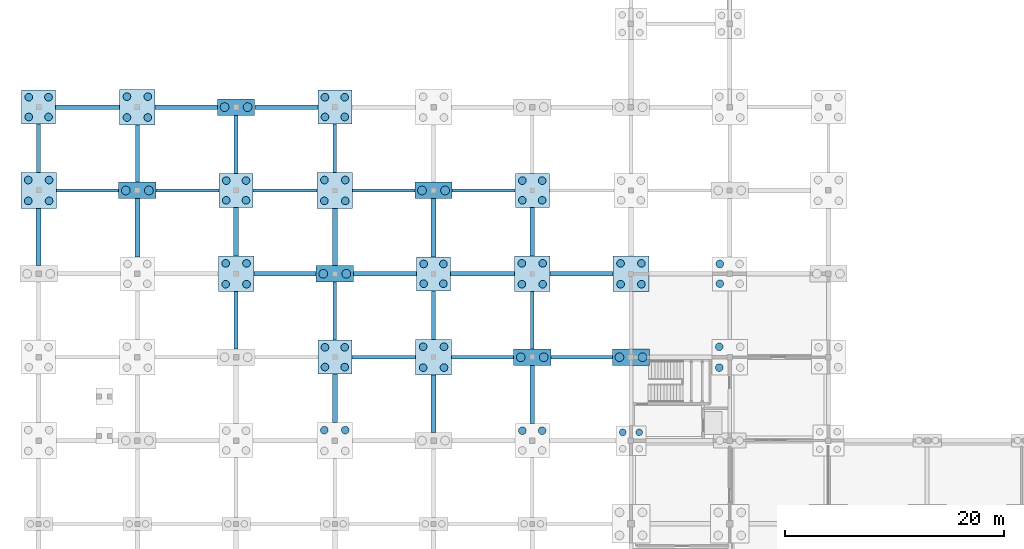
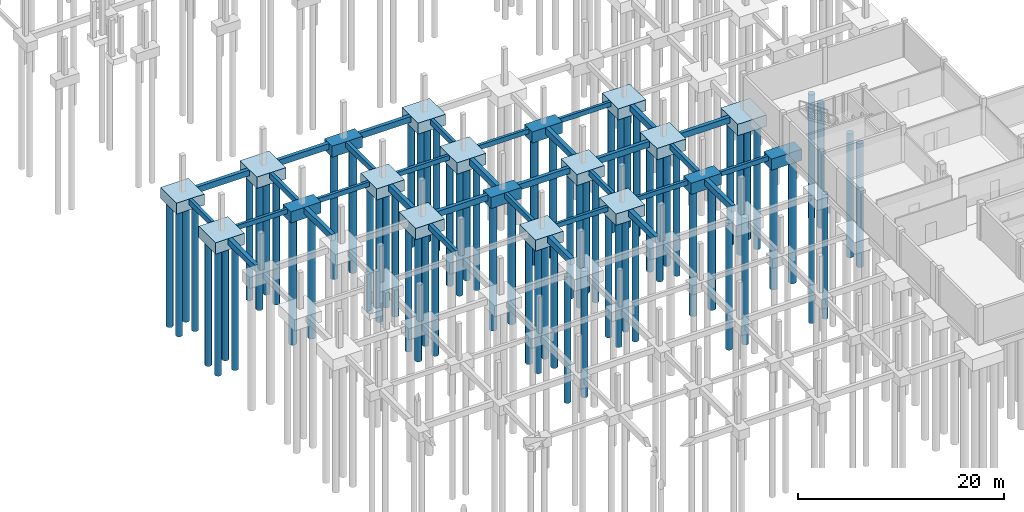
# One storey, part 3 of 28: 74 piles, 51 footings.
"""IFC4 building model written with IfcOpenShell, lengths in metres."""

from ifc_helpers import new_model, si_unit, direction, frame, origin, origin_2d, place, context, subcontext, project, spatial, rectangle, circle, extrude, material, layer, layer_set, material_profile, profile_set, type_object, element, save


model = new_model("IFC4")

# Units and contexts
model_context = context("Model", 3, precision=1e-05, world=origin(), true_north=direction((0.0, 1.0)))
body_context = subcontext(model_context, "Body", "Model", "MODEL_VIEW")
ifc_project = project(units=[si_unit("LENGTHUNIT", "METRE"), si_unit("AREAUNIT", "SQUARE_METRE"), si_unit("VOLUMEUNIT", "CUBIC_METRE"), si_unit("PLANEANGLEUNIT", "RADIAN"), si_unit("MASSUNIT", "GRAM", prefix="KILO")], contexts=[model_context])

# Site, building, storey
site_placement = place(None, origin())
site = spatial("IfcSite", under=ifc_project, at=site_placement, CompositionType="ELEMENT")
building_placement = place(site_placement, origin())
building = spatial("IfcBuilding", under=site, at=building_placement, Name="Caisbarro Railhouse Central Library", CompositionType="ELEMENT")
storey_placement = place(building_placement, frame((0.0, 0.0, -4.320068359375)))
storey = spatial("IfcBuildingStorey", under=building, at=storey_placement, Name="B01", CompositionType="ELEMENT", Elevation=-4.320068359375)

# Footings
ifc_material_1 = material(Name="Concrete C35", Category="concrete")
footing_type_1 = type_object("IfcFootingType", Name="FTG-FB01", PredefinedType="FOOTING_BEAM", material=ifc_material_1)
footing_1_placement = place(storey_placement, frame((0.0, 57.03759765625, -0.64990234375), z_axis=(0.0, 0.0, 1.0), x_axis=(0.0, 1.0, 0.0)))
element("IfcFooting", 1, at=footing_1_placement, inside=storey, type_object=footing_type_1, Name="FB01 ground tie beam 16", PredefinedType="FOOTING_BEAM", context=body_context, shape_type="SweptSolid", body=[
    extrude(rectangle(XDim=4.4208984375, YDim=0.35009765625, at=origin_2d()), origin(), (0.0, 0.0, 1.0), 0.64990234375),
])
for number, where, z_axis, x_axis, name in (
    (2, (9.0, 56.5625, -0.64990234375), (0.0, 0.0, 1.0), (0.0, 1.0, 0.0), "FB01 ground tie beam 40"),
    (3, (18.0, 41.362548828125, -0.64990234375), (0.0, 0.0, 1.0), (0.0, 1.0, 0.0), "FB01 ground tie beam 60"),
):
    element("IfcFooting", number, at=place(storey_placement, frame(where, z_axis=z_axis, x_axis=x_axis)), inside=storey, type_object=footing_type_1, Name=name, PredefinedType="FOOTING_BEAM", context=body_context, shape_type="SweptSolid", body=[
        extrude(rectangle(XDim=5.220947265625, YDim=0.35009765625, at=origin_2d()), origin(), (0.0, 0.0, 1.0), 0.64990234375),
    ])
for number, where, z_axis, x_axis, name in (
    (4, (18.0, 57.39990234375, -0.64990234375), (0.0, 0.0, 1.0), (0.0, 1.0, 0.0), "FB01 ground tie beam 64"),
    (5, (27.0, 42.199951171875, -0.64990234375), (0.0, 0.0, 1.0), (0.0, 1.0, 0.0), "FB01 ground tie beam 84"),
):
    element("IfcFooting", number, at=place(storey_placement, frame(where, z_axis=z_axis, x_axis=x_axis)), inside=storey, type_object=footing_type_1, Name=name, PredefinedType="FOOTING_BEAM", context=body_context, shape_type="SweptSolid", body=[
        extrude(rectangle(XDim=5.2958984375, YDim=0.35009765625, at=origin_2d()), origin(), (0.0, 0.0, 1.0), 0.64990234375),
    ])
for number, where, z_axis, x_axis, name in (
    (6, (27.0, 57.03759765625, -0.64990234375), (0.0, 0.0, 1.0), (0.0, 1.0, 0.0), "FB01 ground tie beam 88"),
    (7, (36.0, 41.83740234375, -0.64990234375), (0.0, 0.0, 1.0), (0.0, 1.0, 0.0), "FB01 ground tie beam 108"),
):
    element("IfcFooting", number, at=place(storey_placement, frame(where, z_axis=z_axis, x_axis=x_axis)), inside=storey, type_object=footing_type_1, Name=name, PredefinedType="FOOTING_BEAM", context=body_context, shape_type="SweptSolid", body=[
        extrude(rectangle(XDim=4.4208984375, YDim=0.35009765625, at=origin_2d()), origin(), (0.0, 0.0, 1.0), 0.64990234375),
    ])
footing_2_placement = place(storey_placement, frame((45.0, 41.362548828125, -0.64990234375), z_axis=(0.0, 0.0, 1.0), x_axis=(0.0, 1.0, 0.0)))
element("IfcFooting", 8, at=footing_2_placement, inside=storey, type_object=footing_type_1, Name="FB01 ground tie beam 128", PredefinedType="FOOTING_BEAM", context=body_context, shape_type="SweptSolid", body=[
    extrude(rectangle(XDim=5.220947265625, YDim=0.35009765625, at=origin_2d()), origin(), (0.0, 0.0, 1.0), 0.64990234375),
])
footing_type_2 = type_object("IfcFootingType", Name="FTG-FB02", PredefinedType="FOOTING_BEAM", material=ifc_material_1)
footing_3_placement = place(storey_placement, frame((4.46240234375, 60.800048828125, -0.69970703125), z_axis=(0.0, 0.0, 1.0), x_axis=(1.0, 0.0, 0.0)))
element("IfcFooting", 9, at=footing_3_placement, inside=storey, type_object=footing_type_2, Name="FB02 ground tie beam 17", PredefinedType="FOOTING_BEAM", context=body_context, shape_type="SweptSolid", body=[
    extrude(rectangle(XDim=5.821044921875, YDim=0.39990234375, at=origin_2d()), origin(), (0.0, 0.0, 1.0), 0.699951171875),
])
for number, where, z_axis, x_axis, name in (
    (10, (13.46240234375, 60.800048828125, -0.69970703125), (0.0, 0.0, 1.0), (1.0, 0.0, 0.0), "FB02 ground tie beam 41"),
    (11, (22.46240234375, 45.60009765625, -0.69970703125), (0.0, 0.0, 1.0), (1.0, 0.0, 0.0), "FB02 ground tie beam 61"),
):
    element("IfcFooting", number, at=place(storey_placement, frame(where, z_axis=z_axis, x_axis=x_axis)), inside=storey, type_object=footing_type_2, Name=name, PredefinedType="FOOTING_BEAM", context=body_context, shape_type="SweptSolid", body=[
        extrude(rectangle(XDim=5.6708984375, YDim=0.39990234375, at=origin_2d()), origin(), (0.0, 0.0, 1.0), 0.699951171875),
    ])
for number, where, z_axis, x_axis, name in (
    (12, (22.574951171875, 60.800048828125, -0.69970703125), (0.0, 0.0, 1.0), (1.0, 0.0, 0.0), "FB02 ground tie beam 65"),
    (13, (31.574951171875, 45.60009765625, -0.69970703125), (0.0, 0.0, 1.0), (1.0, 0.0, 0.0), "FB02 ground tie beam 85"),
):
    element("IfcFooting", number, at=place(storey_placement, frame(where, z_axis=z_axis, x_axis=x_axis)), inside=storey, type_object=footing_type_2, Name=name, PredefinedType="FOOTING_BEAM", context=body_context, shape_type="SweptSolid", body=[
        extrude(rectangle(XDim=5.74609375, YDim=0.39990234375, at=origin_2d()), origin(), (0.0, 0.0, 1.0), 0.699951171875),
    ])
footing_4_placement = place(storey_placement, frame((40.46240234375, 45.60009765625, -0.69970703125), z_axis=(0.0, 0.0, 1.0), x_axis=(1.0, 0.0, 0.0)))
element("IfcFooting", 14, at=footing_4_placement, inside=storey, type_object=footing_type_2, Name="FB02 ground tie beam 109", PredefinedType="FOOTING_BEAM", context=body_context, shape_type="SweptSolid", body=[
    extrude(rectangle(XDim=5.821044921875, YDim=0.39990234375, at=origin_2d()), origin(), (0.0, 0.0, 1.0), 0.699951171875),
])
footing_5_placement = place(storey_placement, frame((49.5, 45.60009765625, -1.0), z_axis=(0.0, 0.0, 1.0), x_axis=(1.0, 0.0, 0.0)))
element("IfcFooting", 15, at=footing_5_placement, inside=storey, type_object=footing_type_2, Name="FB02 ground tie beam 129", PredefinedType="FOOTING_BEAM", context=body_context, shape_type="SweptSolid", body=[
    extrude(rectangle(XDim=5.74609375, YDim=0.39990234375, at=origin_2d()), origin(), (0.0, 0.0, 1.0), 0.699951171875),
])
footing_type_3 = type_object("IfcFootingType", Name="FTG-FB03", PredefinedType="FOOTING_BEAM", material=ifc_material_1)
footing_6_placement = place(storey_placement, frame((0.0, 48.96240234375, -0.75), z_axis=(0.0, 0.0, 1.0), x_axis=(0.0, 1.0, 0.0)))
element("IfcFooting", 16, at=footing_6_placement, inside=storey, type_object=footing_type_3, Name="FB03 ground tie beam 14", PredefinedType="FOOTING_BEAM", context=body_context, shape_type="SweptSolid", body=[
    extrude(rectangle(XDim=5.220947265625, YDim=0.449951171875, at=origin_2d()), origin(), (0.0, 0.0, 1.0), 0.75),
])
footing_7_placement = place(storey_placement, frame((9.0, 49.800048828125, -0.75), z_axis=(0.0, 0.0, 1.0), x_axis=(0.0, 1.0, 0.0)))
element("IfcFooting", 17, at=footing_7_placement, inside=storey, type_object=footing_type_3, Name="FB03 ground tie beam 38", PredefinedType="FOOTING_BEAM", context=body_context, shape_type="SweptSolid", body=[
    extrude(rectangle(XDim=5.2958984375, YDim=0.449951171875, at=origin_2d()), origin(), (0.0, 0.0, 1.0), 0.75),
])
for number, where, z_axis, x_axis, name in (
    (18, (18.0, 49.4375, -0.75), (0.0, 0.0, 1.0), (0.0, 1.0, 0.0), "FB03 ground tie beam 62"),
    (19, (27.0, 34.237548828125, -0.75), (0.0, 0.0, 1.0), (0.0, 1.0, 0.0), "FB03 ground tie beam 82"),
):
    element("IfcFooting", number, at=place(storey_placement, frame(where, z_axis=z_axis, x_axis=x_axis)), inside=storey, type_object=footing_type_3, Name=name, PredefinedType="FOOTING_BEAM", context=body_context, shape_type="SweptSolid", body=[
        extrude(rectangle(XDim=4.4208984375, YDim=0.449951171875, at=origin_2d()), origin(), (0.0, 0.0, 1.0), 0.75),
    ])
for number, where, z_axis, x_axis, name in (
    (20, (27.0, 48.96240234375, -0.75), (0.0, 0.0, 1.0), (0.0, 1.0, 0.0), "FB03 ground tie beam 86"),
    (21, (36.0, 33.762451171875, -0.75), (0.0, 0.0, 1.0), (0.0, 1.0, 0.0), "FB03 ground tie beam 106"),
):
    element("IfcFooting", number, at=place(storey_placement, frame(where, z_axis=z_axis, x_axis=x_axis)), inside=storey, type_object=footing_type_3, Name=name, PredefinedType="FOOTING_BEAM", context=body_context, shape_type="SweptSolid", body=[
        extrude(rectangle(XDim=5.220947265625, YDim=0.449951171875, at=origin_2d()), origin(), (0.0, 0.0, 1.0), 0.75),
    ])
for number, where, z_axis, x_axis, name in (
    (22, (36.0, 49.800048828125, -0.75), (0.0, 0.0, 1.0), (0.0, 1.0, 0.0), "FB03 ground tie beam 110"),
    (23, (45.0, 34.60009765625, -0.75), (0.0, 0.0, 1.0), (0.0, 1.0, 0.0), "FB03 ground tie beam 126"),
):
    element("IfcFooting", number, at=place(storey_placement, frame(where, z_axis=z_axis, x_axis=x_axis)), inside=storey, type_object=footing_type_3, Name=name, PredefinedType="FOOTING_BEAM", context=body_context, shape_type="SweptSolid", body=[
        extrude(rectangle(XDim=5.2958984375, YDim=0.449951171875, at=origin_2d()), origin(), (0.0, 0.0, 1.0), 0.75),
    ])
footing_8_placement = place(storey_placement, frame((45.0, 49.4375, -0.75), z_axis=(0.0, 0.0, 1.0), x_axis=(0.0, 1.0, 0.0)))
element("IfcFooting", 24, at=footing_8_placement, inside=storey, type_object=footing_type_3, Name="FB03 ground tie beam 130", PredefinedType="FOOTING_BEAM", context=body_context, shape_type="SweptSolid", body=[
    extrude(rectangle(XDim=4.4208984375, YDim=0.449951171875, at=origin_2d()), origin(), (0.0, 0.0, 1.0), 0.75),
])
footing_type_4 = type_object("IfcFootingType", Name="FTG-FB04", PredefinedType="FOOTING_BEAM", material=ifc_material_1)
footing_9_placement = place(storey_placement, frame((4.46240234375, 53.199951171875, -0.5498046875), z_axis=(0.0, 0.0, 1.0), x_axis=(1.0, 0.0, 0.0)))
element("IfcFooting", 25, at=footing_9_placement, inside=storey, type_object=footing_type_4, Name="FB04 ground tie beam 15", PredefinedType="FOOTING_BEAM", context=body_context, shape_type="SweptSolid", body=[
    extrude(rectangle(XDim=5.6708984375, YDim=0.300048828125, at=origin_2d()), origin(), (0.0, 0.0, 1.0), 0.550048828125),
])
footing_10_placement = place(storey_placement, frame((13.574951171875, 53.199951171875, -0.5498046875), z_axis=(0.0, 0.0, 1.0), x_axis=(1.0, 0.0, 0.0)))
element("IfcFooting", 26, at=footing_10_placement, inside=storey, type_object=footing_type_4, Name="FB04 ground tie beam 39", PredefinedType="FOOTING_BEAM", context=body_context, shape_type="SweptSolid", body=[
    extrude(rectangle(XDim=5.74609375, YDim=0.300048828125, at=origin_2d()), origin(), (0.0, 0.0, 1.0), 0.550048828125),
])
for number, where, z_axis, x_axis, name in (
    (27, (22.46240234375, 53.199951171875, -0.5498046875), (0.0, 0.0, 1.0), (1.0, 0.0, 0.0), "FB04 ground tie beam 63"),
    (28, (31.46240234375, 38.0, -0.5498046875), (0.0, 0.0, 1.0), (1.0, 0.0, 0.0), "FB04 ground tie beam 83"),
):
    element("IfcFooting", number, at=place(storey_placement, frame(where, z_axis=z_axis, x_axis=x_axis)), inside=storey, type_object=footing_type_4, Name=name, PredefinedType="FOOTING_BEAM", context=body_context, shape_type="SweptSolid", body=[
        extrude(rectangle(XDim=5.821044921875, YDim=0.300048828125, at=origin_2d()), origin(), (0.0, 0.0, 1.0), 0.550048828125),
    ])
for number, where, z_axis, x_axis, name in (
    (29, (31.46240234375, 53.199951171875, -0.5498046875), (0.0, 0.0, 1.0), (1.0, 0.0, 0.0), "FB04 ground tie beam 87"),
    (30, (40.46240234375, 38.0, -0.5498046875), (0.0, 0.0, 1.0), (1.0, 0.0, 0.0), "FB04 ground tie beam 107"),
):
    element("IfcFooting", number, at=place(storey_placement, frame(where, z_axis=z_axis, x_axis=x_axis)), inside=storey, type_object=footing_type_4, Name=name, PredefinedType="FOOTING_BEAM", context=body_context, shape_type="SweptSolid", body=[
        extrude(rectangle(XDim=5.6708984375, YDim=0.300048828125, at=origin_2d()), origin(), (0.0, 0.0, 1.0), 0.550048828125),
    ])
footing_11_placement = place(storey_placement, frame((40.574951171875, 53.199951171875, -0.5498046875), z_axis=(0.0, 0.0, 1.0), x_axis=(1.0, 0.0, 0.0)))
element("IfcFooting", 31, at=footing_11_placement, inside=storey, type_object=footing_type_4, Name="FB04 ground tie beam 111", PredefinedType="FOOTING_BEAM", context=body_context, shape_type="SweptSolid", body=[
    extrude(rectangle(XDim=5.74609375, YDim=0.300048828125, at=origin_2d()), origin(), (0.0, 0.0, 1.0), 0.550048828125),
])
footing_12_placement = place(storey_placement, frame((49.5, 38.0, -0.85009765625), z_axis=(0.0, 0.0, 1.0), x_axis=(1.0, 0.0, 0.0)))
element("IfcFooting", 32, at=footing_12_placement, inside=storey, type_object=footing_type_4, Name="FB04 ground tie beam 127", PredefinedType="FOOTING_BEAM", context=body_context, shape_type="SweptSolid", body=[
    extrude(rectangle(XDim=5.595947265625, YDim=0.300048828125, at=origin_2d()), origin(), (0.0, 0.0, 1.0), 0.550048828125),
])
ifc_material_2 = material(Name="Concrete C40", Category="concrete")
ifc_layer_1 = layer(ifc_material_2, 1.300048828125, Name="Concrete C40")
ifc_layer_set_1 = layer_set([ifc_layer_1], Name="Concrete C40")
footing_type_5 = type_object("IfcFootingType", Name="FTG-PC06", PredefinedType="PILE_CAP", material=ifc_layer_set_1)
for number, where, z_axis, x_axis, name in (
    (33, (0.0, 60.800048828125, -1.2998046875), (0.0, 0.0, 1.0), (1.0, 0.0, 0.0), "PC06 pile cap (9)"),
    (34, (18.0, 53.199951171875, -1.2998046875), (0.0, 0.0, 1.0), (1.0, 0.0, 0.0), "PC06 pile cap (36)"),
    (35, (27.0, 38.0, -1.2998046875), (0.0, 0.0, 1.0), (1.0, 0.0, 0.0), "PC06 pile cap (48)"),
    (36, (27.0, 60.800048828125, -1.2998046875), (0.0, 0.0, 1.0), (1.0, 0.0, 0.0), "PC06 pile cap (51)"),
    (37, (36.0, 45.60009765625, -1.2998046875), (0.0, 0.0, 1.0), (1.0, 0.0, 0.0), "PC06 pile cap (63)"),
    (38, (45.0, 53.199951171875, -1.2998046875), (0.0, 0.0, 1.0), (1.0, 0.0, 0.0), "PC06 pile cap (78)"),
):
    element("IfcFooting", number, at=place(storey_placement, frame(where, z_axis=z_axis, x_axis=x_axis)), inside=storey, type_object=footing_type_5, Name=name, PredefinedType="PILE_CAP", context=body_context, shape_type="SweptSolid", body=[
        extrude(rectangle(XDim=3.10009765625, YDim=3.10009765625, at=origin_2d()), origin(), (0.0, 0.0, 1.0), 1.300048828125),
    ])
ifc_layer_2 = layer(ifc_material_2, 1.320068359375, Name="Concrete C40")
ifc_layer_set_2 = layer_set([ifc_layer_2], Name="Concrete C40")
footing_type_6 = type_object("IfcFootingType", Name="FTG-PC07", PredefinedType="PILE_CAP", material=ifc_layer_set_2)
for number, where, z_axis, x_axis, name in (
    (39, (9.0, 53.199951171875, -1.31982421875), (0.0, 0.0, 1.0), (1.0, 0.0, 0.0), "PC07 pile cap (22)"),
    (40, (18.0, 60.800048828125, -1.31982421875), (0.0, 0.0, 1.0), (1.0, 0.0, 0.0), "PC07 pile cap (37)"),
    (41, (27.0, 45.60009765625, -1.31982421875), (0.0, 0.0, 1.0), (1.0, 0.0, 0.0), "PC07 pile cap (49)"),
    (42, (36.0, 53.199951171875, -1.31982421875), (0.0, 0.0, 1.0), (1.0, 0.0, 0.0), "PC07 pile cap (64)"),
    (43, (45.0, 38.0, -1.31982421875), (0.0, 0.0, 1.0), (1.0, 0.0, 0.0), "PC07 pile cap (76)"),
    (44, (54.0, 38.0, -1.6201171875), (0.0, 0.0, 1.0), (1.0, 0.0, 0.0), "PC07 pile cap (85)"),
):
    element("IfcFooting", number, at=place(storey_placement, frame(where, z_axis=z_axis, x_axis=x_axis)), inside=storey, type_object=footing_type_6, Name=name, PredefinedType="PILE_CAP", context=body_context, shape_type="SweptSolid", body=[
        extrude(rectangle(XDim=3.39990234375, YDim=1.5, at=origin_2d()), origin(), (0.0, 0.0, 1.0), 1.320068359375),
    ])
ifc_layer_3 = layer(ifc_material_2, 1.340087890625, Name="Concrete C40")
ifc_layer_set_3 = layer_set([ifc_layer_3], Name="Concrete C40")
footing_type_7 = type_object("IfcFootingType", Name="FTG-PC14", PredefinedType="PILE_CAP", material=ifc_layer_set_3)
for number, where, z_axis, x_axis, name in (
    (45, (0.0, 53.199951171875, -1.33984375), (0.0, 0.0, 1.0), (1.0, 0.0, 0.0), "PC14 pile cap (8)"),
    (46, (9.0, 60.800048828125, -1.33984375), (0.0, 0.0, 1.0), (1.0, 0.0, 0.0), "PC14 pile cap (23)"),
    (47, (18.0, 45.60009765625, -1.33984375), (0.0, 0.0, 1.0), (1.0, 0.0, 0.0), "PC14 pile cap (35)"),
    (48, (27.0, 53.199951171875, -1.33984375), (0.0, 0.0, 1.0), (1.0, 0.0, 0.0), "PC14 pile cap (50)"),
    (49, (36.0, 38.0, -1.33984375), (0.0, 0.0, 1.0), (1.0, 0.0, 0.0), "PC14 pile cap (62)"),
    (50, (45.0, 45.60009765625, -1.33984375), (0.0, 0.0, 1.0), (1.0, 0.0, 0.0), "PC14 pile cap (77)"),
    (51, (54.0, 45.60009765625, -1.64013671875), (0.0, 0.0, 1.0), (1.0, 0.0, 0.0), "PC14 pile cap (86)"),
):
    element("IfcFooting", number, at=place(storey_placement, frame(where, z_axis=z_axis, x_axis=x_axis)), inside=storey, type_object=footing_type_7, Name=name, PredefinedType="PILE_CAP", context=body_context, shape_type="SweptSolid", body=[
        extrude(rectangle(XDim=3.25, YDim=3.25, at=origin_2d()), origin(), (0.0, 0.0, 1.0), 1.340087890625),
    ])

# Piles
ifc_material_profile_1 = material_profile(ifc_material_1, circle(Radius=0.300048828125, at=origin_2d()), Name="PILE-CFA-600")
ifc_profile_set_1 = profile_set([ifc_material_profile_1], Name="Concrete C35")
pile_type_1 = type_object("IfcPileType", Name="PILE-CFA600", PredefinedType="BORED", material=ifc_profile_set_1)
for number, where, z_axis, x_axis, name in (
    (52, (53.25, 31.14990234375, -1.449951171875), (0.0, 0.0, -1.0), (1.0, 0.0, 0.0), "PL60 CFA bored pile 84.3"),
    (53, (54.75, 31.14990234375, -1.449951171875), (0.0, 0.0, -1.0), (1.0, 0.0, 0.0), "PL60 CFA bored pile 84.4"),
):
    element("IfcPile", number, at=place(storey_placement, frame(where, z_axis=z_axis, x_axis=x_axis)), inside=storey, type_object=pile_type_1, Name=name, PredefinedType="BORED", context=body_context, shape_type="SweptSolid", body=[
        extrude(circle(Radius=0.300048828125, at=origin_2d()), origin(), (0.0, 0.0, 1.0), 14.72998046875),
    ])
ifc_material_profile_2 = material_profile(ifc_material_1, circle(Radius=0.35009765625, at=origin_2d()), Name="PILE-CFA-700")
ifc_profile_set_2 = profile_set([ifc_material_profile_2], Name="Concrete C35")
pile_type_2 = type_object("IfcPileType", Name="PILE-CFA700", PredefinedType="BORED", material=ifc_profile_set_2)
for number, where, z_axis, x_axis, name in (
    (54, (-0.949951171875, 52.25, -1.239990234375), (0.0, 0.0, -1.0), (1.0, 0.0, 0.0), "PL70 CFA bored pile 8.1"),
    (55, (0.949951171875, 52.25, -1.239990234375), (0.0, 0.0, -1.0), (1.0, 0.0, 0.0), "PL70 CFA bored pile 8.2"),
    (56, (-0.949951171875, 54.14990234375, -1.239990234375), (0.0, 0.0, -1.0), (1.0, 0.0, 0.0), "PL70 CFA bored pile 8.3"),
    (57, (0.949951171875, 54.14990234375, -1.239990234375), (0.0, 0.0, -1.0), (1.0, 0.0, 0.0), "PL70 CFA bored pile 8.4"),
):
    element("IfcPile", number, at=place(storey_placement, frame(where, z_axis=z_axis, x_axis=x_axis)), inside=storey, type_object=pile_type_2, Name=name, PredefinedType="BORED", context=body_context, shape_type="SweptSolid", body=[
        extrude(circle(Radius=0.35009765625, at=origin_2d()), origin(), (0.0, 0.0, 1.0), 14.93994140625),
    ])
for number, where, z_axis, x_axis, name in (
    (58, (-0.89990234375, 59.89990234375, -1.199951171875), (0.0, 0.0, -1.0), (1.0, 0.0, 0.0), "PL70 CFA bored pile 9.1"),
    (59, (0.89990234375, 59.89990234375, -1.199951171875), (0.0, 0.0, -1.0), (1.0, 0.0, 0.0), "PL70 CFA bored pile 9.2"),
    (60, (-0.89990234375, 61.699951171875, -1.199951171875), (0.0, 0.0, -1.0), (1.0, 0.0, 0.0), "PL70 CFA bored pile 9.3"),
    (61, (0.89990234375, 61.699951171875, -1.199951171875), (0.0, 0.0, -1.0), (1.0, 0.0, 0.0), "PL70 CFA bored pile 9.4"),
):
    element("IfcPile", number, at=place(storey_placement, frame(where, z_axis=z_axis, x_axis=x_axis)), inside=storey, type_object=pile_type_2, Name=name, PredefinedType="BORED", context=body_context, shape_type="SweptSolid", body=[
        extrude(circle(Radius=0.35009765625, at=origin_2d()), origin(), (0.0, 0.0, 1.0), 14.97998046875),
    ])
for number, where, z_axis, x_axis, name in (
    (62, (8.050048828125, 59.85009765625, -1.239990234375), (0.0, 0.0, -1.0), (1.0, 0.0, 0.0), "PL70 CFA bored pile 23.1"),
    (63, (9.949951171875, 59.85009765625, -1.239990234375), (0.0, 0.0, -1.0), (1.0, 0.0, 0.0), "PL70 CFA bored pile 23.2"),
    (64, (8.050048828125, 61.75, -1.239990234375), (0.0, 0.0, -1.0), (1.0, 0.0, 0.0), "PL70 CFA bored pile 23.3"),
    (65, (9.949951171875, 61.75, -1.239990234375), (0.0, 0.0, -1.0), (1.0, 0.0, 0.0), "PL70 CFA bored pile 23.4"),
    (66, (17.050048828125, 44.64990234375, -1.239990234375), (0.0, 0.0, -1.0), (1.0, 0.0, 0.0), "PL70 CFA bored pile 35.1"),
    (67, (18.949951171875, 44.64990234375, -1.239990234375), (0.0, 0.0, -1.0), (1.0, 0.0, 0.0), "PL70 CFA bored pile 35.2"),
    (68, (17.050048828125, 46.550048828125, -1.239990234375), (0.0, 0.0, -1.0), (1.0, 0.0, 0.0), "PL70 CFA bored pile 35.3"),
    (69, (18.949951171875, 46.550048828125, -1.239990234375), (0.0, 0.0, -1.0), (1.0, 0.0, 0.0), "PL70 CFA bored pile 35.4"),
):
    element("IfcPile", number, at=place(storey_placement, frame(where, z_axis=z_axis, x_axis=x_axis)), inside=storey, type_object=pile_type_2, Name=name, PredefinedType="BORED", context=body_context, shape_type="SweptSolid", body=[
        extrude(circle(Radius=0.35009765625, at=origin_2d()), origin(), (0.0, 0.0, 1.0), 14.93994140625),
    ])
for number, where, z_axis, x_axis, name in (
    (70, (17.10009765625, 52.300048828125, -1.199951171875), (0.0, 0.0, -1.0), (1.0, 0.0, 0.0), "PL70 CFA bored pile 36.1"),
    (71, (18.89990234375, 52.300048828125, -1.199951171875), (0.0, 0.0, -1.0), (1.0, 0.0, 0.0), "PL70 CFA bored pile 36.2"),
    (72, (17.10009765625, 54.10009765625, -1.199951171875), (0.0, 0.0, -1.0), (1.0, 0.0, 0.0), "PL70 CFA bored pile 36.3"),
    (73, (18.89990234375, 54.10009765625, -1.199951171875), (0.0, 0.0, -1.0), (1.0, 0.0, 0.0), "PL70 CFA bored pile 36.4"),
):
    element("IfcPile", number, at=place(storey_placement, frame(where, z_axis=z_axis, x_axis=x_axis)), inside=storey, type_object=pile_type_2, Name=name, PredefinedType="BORED", context=body_context, shape_type="SweptSolid", body=[
        extrude(circle(Radius=0.35009765625, at=origin_2d()), origin(), (0.0, 0.0, 1.0), 14.97998046875),
    ])
for number, where, z_axis, x_axis, name in (
    (74, (26.050048828125, 31.35009765625, -1.239990234375), (0.0, 0.0, -1.0), (1.0, 0.0, 0.0), "PL70 CFA bored pile 47.3"),
    (75, (27.949951171875, 31.35009765625, -1.239990234375), (0.0, 0.0, -1.0), (1.0, 0.0, 0.0), "PL70 CFA bored pile 47.4"),
):
    element("IfcPile", number, at=place(storey_placement, frame(where, z_axis=z_axis, x_axis=x_axis)), inside=storey, type_object=pile_type_2, Name=name, PredefinedType="BORED", context=body_context, shape_type="SweptSolid", body=[
        extrude(circle(Radius=0.35009765625, at=origin_2d()), origin(), (0.0, 0.0, 1.0), 14.93994140625),
    ])
for number, where, z_axis, x_axis, name in (
    (76, (26.10009765625, 37.10009765625, -1.199951171875), (0.0, 0.0, -1.0), (1.0, 0.0, 0.0), "PL70 CFA bored pile 48.1"),
    (77, (27.89990234375, 37.10009765625, -1.199951171875), (0.0, 0.0, -1.0), (1.0, 0.0, 0.0), "PL70 CFA bored pile 48.2"),
    (78, (26.10009765625, 38.89990234375, -1.199951171875), (0.0, 0.0, -1.0), (1.0, 0.0, 0.0), "PL70 CFA bored pile 48.3"),
    (79, (27.89990234375, 38.89990234375, -1.199951171875), (0.0, 0.0, -1.0), (1.0, 0.0, 0.0), "PL70 CFA bored pile 48.4"),
):
    element("IfcPile", number, at=place(storey_placement, frame(where, z_axis=z_axis, x_axis=x_axis)), inside=storey, type_object=pile_type_2, Name=name, PredefinedType="BORED", context=body_context, shape_type="SweptSolid", body=[
        extrude(circle(Radius=0.35009765625, at=origin_2d()), origin(), (0.0, 0.0, 1.0), 14.97998046875),
    ])
for number, where, z_axis, x_axis, name in (
    (80, (26.050048828125, 52.25, -1.239990234375), (0.0, 0.0, -1.0), (1.0, 0.0, 0.0), "PL70 CFA bored pile 50.1"),
    (81, (27.949951171875, 52.25, -1.239990234375), (0.0, 0.0, -1.0), (1.0, 0.0, 0.0), "PL70 CFA bored pile 50.2"),
    (82, (26.050048828125, 54.14990234375, -1.239990234375), (0.0, 0.0, -1.0), (1.0, 0.0, 0.0), "PL70 CFA bored pile 50.3"),
    (83, (27.949951171875, 54.14990234375, -1.239990234375), (0.0, 0.0, -1.0), (1.0, 0.0, 0.0), "PL70 CFA bored pile 50.4"),
):
    element("IfcPile", number, at=place(storey_placement, frame(where, z_axis=z_axis, x_axis=x_axis)), inside=storey, type_object=pile_type_2, Name=name, PredefinedType="BORED", context=body_context, shape_type="SweptSolid", body=[
        extrude(circle(Radius=0.35009765625, at=origin_2d()), origin(), (0.0, 0.0, 1.0), 14.93994140625),
    ])
for number, where, z_axis, x_axis, name in (
    (84, (26.10009765625, 59.89990234375, -1.199951171875), (0.0, 0.0, -1.0), (1.0, 0.0, 0.0), "PL70 CFA bored pile 51.1"),
    (85, (27.89990234375, 59.89990234375, -1.199951171875), (0.0, 0.0, -1.0), (1.0, 0.0, 0.0), "PL70 CFA bored pile 51.2"),
    (86, (26.10009765625, 61.699951171875, -1.199951171875), (0.0, 0.0, -1.0), (1.0, 0.0, 0.0), "PL70 CFA bored pile 51.3"),
    (87, (27.89990234375, 61.699951171875, -1.199951171875), (0.0, 0.0, -1.0), (1.0, 0.0, 0.0), "PL70 CFA bored pile 51.4"),
):
    element("IfcPile", number, at=place(storey_placement, frame(where, z_axis=z_axis, x_axis=x_axis)), inside=storey, type_object=pile_type_2, Name=name, PredefinedType="BORED", context=body_context, shape_type="SweptSolid", body=[
        extrude(circle(Radius=0.35009765625, at=origin_2d()), origin(), (0.0, 0.0, 1.0), 14.97998046875),
    ])
for number, where, z_axis, x_axis, name in (
    (88, (35.050048828125, 37.050048828125, -1.239990234375), (0.0, 0.0, -1.0), (1.0, 0.0, 0.0), "PL70 CFA bored pile 62.1"),
    (89, (36.949951171875, 37.050048828125, -1.239990234375), (0.0, 0.0, -1.0), (1.0, 0.0, 0.0), "PL70 CFA bored pile 62.2"),
    (90, (35.050048828125, 38.949951171875, -1.239990234375), (0.0, 0.0, -1.0), (1.0, 0.0, 0.0), "PL70 CFA bored pile 62.3"),
    (91, (36.949951171875, 38.949951171875, -1.239990234375), (0.0, 0.0, -1.0), (1.0, 0.0, 0.0), "PL70 CFA bored pile 62.4"),
):
    element("IfcPile", number, at=place(storey_placement, frame(where, z_axis=z_axis, x_axis=x_axis)), inside=storey, type_object=pile_type_2, Name=name, PredefinedType="BORED", context=body_context, shape_type="SweptSolid", body=[
        extrude(circle(Radius=0.35009765625, at=origin_2d()), origin(), (0.0, 0.0, 1.0), 14.93994140625),
    ])
for number, where, z_axis, x_axis, name in (
    (92, (35.10009765625, 44.699951171875, -1.199951171875), (0.0, 0.0, -1.0), (1.0, 0.0, 0.0), "PL70 CFA bored pile 63.1"),
    (93, (36.89990234375, 44.699951171875, -1.199951171875), (0.0, 0.0, -1.0), (1.0, 0.0, 0.0), "PL70 CFA bored pile 63.2"),
    (94, (35.10009765625, 46.5, -1.199951171875), (0.0, 0.0, -1.0), (1.0, 0.0, 0.0), "PL70 CFA bored pile 63.3"),
    (95, (36.89990234375, 46.5, -1.199951171875), (0.0, 0.0, -1.0), (1.0, 0.0, 0.0), "PL70 CFA bored pile 63.4"),
    (96, (44.10009765625, 31.300048828125, -1.199951171875), (0.0, 0.0, -1.0), (1.0, 0.0, 0.0), "PL70 CFA bored pile 75.3"),
    (97, (45.89990234375, 31.300048828125, -1.199951171875), (0.0, 0.0, -1.0), (1.0, 0.0, 0.0), "PL70 CFA bored pile 75.4"),
):
    element("IfcPile", number, at=place(storey_placement, frame(where, z_axis=z_axis, x_axis=x_axis)), inside=storey, type_object=pile_type_2, Name=name, PredefinedType="BORED", context=body_context, shape_type="SweptSolid", body=[
        extrude(circle(Radius=0.35009765625, at=origin_2d()), origin(), (0.0, 0.0, 1.0), 14.97998046875),
    ])
for number, where, z_axis, x_axis, name in (
    (98, (44.050048828125, 44.64990234375, -1.239990234375), (0.0, 0.0, -1.0), (1.0, 0.0, 0.0), "PL70 CFA bored pile 77.1"),
    (99, (45.949951171875, 44.64990234375, -1.239990234375), (0.0, 0.0, -1.0), (1.0, 0.0, 0.0), "PL70 CFA bored pile 77.2"),
    (100, (44.050048828125, 46.550048828125, -1.239990234375), (0.0, 0.0, -1.0), (1.0, 0.0, 0.0), "PL70 CFA bored pile 77.3"),
    (101, (45.949951171875, 46.550048828125, -1.239990234375), (0.0, 0.0, -1.0), (1.0, 0.0, 0.0), "PL70 CFA bored pile 77.4"),
):
    element("IfcPile", number, at=place(storey_placement, frame(where, z_axis=z_axis, x_axis=x_axis)), inside=storey, type_object=pile_type_2, Name=name, PredefinedType="BORED", context=body_context, shape_type="SweptSolid", body=[
        extrude(circle(Radius=0.35009765625, at=origin_2d()), origin(), (0.0, 0.0, 1.0), 14.93994140625),
    ])
for number, where, z_axis, x_axis, name in (
    (102, (44.10009765625, 52.300048828125, -1.199951171875), (0.0, 0.0, -1.0), (1.0, 0.0, 0.0), "PL70 CFA bored pile 78.1"),
    (103, (45.89990234375, 52.300048828125, -1.199951171875), (0.0, 0.0, -1.0), (1.0, 0.0, 0.0), "PL70 CFA bored pile 78.2"),
    (104, (44.10009765625, 54.10009765625, -1.199951171875), (0.0, 0.0, -1.0), (1.0, 0.0, 0.0), "PL70 CFA bored pile 78.3"),
    (105, (45.89990234375, 54.10009765625, -1.199951171875), (0.0, 0.0, -1.0), (1.0, 0.0, 0.0), "PL70 CFA bored pile 78.4"),
):
    element("IfcPile", number, at=place(storey_placement, frame(where, z_axis=z_axis, x_axis=x_axis)), inside=storey, type_object=pile_type_2, Name=name, PredefinedType="BORED", context=body_context, shape_type="SweptSolid", body=[
        extrude(circle(Radius=0.35009765625, at=origin_2d()), origin(), (0.0, 0.0, 1.0), 14.97998046875),
    ])
for number, where, z_axis, x_axis, name in (
    (106, (53.050048828125, 44.64990234375, -1.5400390625), (0.0, 0.0, -1.0), (1.0, 0.0, 0.0), "PL70 CFA bored pile 86.1"),
    (107, (54.949951171875, 44.64990234375, -1.5400390625), (0.0, 0.0, -1.0), (1.0, 0.0, 0.0), "PL70 CFA bored pile 86.2"),
    (108, (53.050048828125, 46.550048828125, -1.5400390625), (0.0, 0.0, -1.0), (1.0, 0.0, 0.0), "PL70 CFA bored pile 86.3"),
    (109, (54.949951171875, 46.550048828125, -1.5400390625), (0.0, 0.0, -1.0), (1.0, 0.0, 0.0), "PL70 CFA bored pile 86.4"),
    (110, (62.050048828125, 37.050048828125, -1.5400390625), (0.0, 0.0, -1.0), (1.0, 0.0, 0.0), "PL70 CFA bored pile 101.1"),
    (111, (62.050048828125, 38.949951171875, -1.5400390625), (0.0, 0.0, -1.0), (1.0, 0.0, 0.0), "PL70 CFA bored pile 101.3"),
):
    element("IfcPile", number, at=place(storey_placement, frame(where, z_axis=z_axis, x_axis=x_axis)), inside=storey, type_object=pile_type_2, Name=name, PredefinedType="BORED", context=body_context, shape_type="SweptSolid", body=[
        extrude(circle(Radius=0.35009765625, at=origin_2d()), origin(), (0.0, 0.0, 1.0), 14.639892578125),
    ])
for number, where, z_axis, x_axis, name in (
    (112, (62.10009765625, 44.699951171875, -1.5), (0.0, 0.0, -1.0), (1.0, 0.0, 0.0), "PL70 CFA bored pile 102.1"),
    (113, (62.10009765625, 46.5, -1.5), (0.0, 0.0, -1.0), (1.0, 0.0, 0.0), "PL70 CFA bored pile 102.3"),
):
    element("IfcPile", number, at=place(storey_placement, frame(where, z_axis=z_axis, x_axis=x_axis)), inside=storey, type_object=pile_type_2, Name=name, PredefinedType="BORED", context=body_context, shape_type="SweptSolid", body=[
        extrude(circle(Radius=0.35009765625, at=origin_2d()), origin(), (0.0, 0.0, 1.0), 14.679931640625),
    ])
ifc_material_profile_3 = material_profile(ifc_material_1, circle(Radius=0.39990234375, at=origin_2d()), Name="PILE-CFA-800")
ifc_profile_set_3 = profile_set([ifc_material_profile_3], Name="Concrete C35")
pile_type_3 = type_object("IfcPileType", Name="PILE-CFA800", PredefinedType="BORED", material=ifc_profile_set_3)
for number, where, z_axis, x_axis, name in (
    (114, (7.949951171875, 53.199951171875, -1.219970703125), (0.0, 0.0, -1.0), (1.0, 0.0, 0.0), "PL80 CFA bored pile 22.1"),
    (115, (10.050048828125, 53.199951171875, -1.219970703125), (0.0, 0.0, -1.0), (1.0, 0.0, 0.0), "PL80 CFA bored pile 22.2"),
    (116, (16.949951171875, 60.800048828125, -1.219970703125), (0.0, 0.0, -1.0), (1.0, 0.0, 0.0), "PL80 CFA bored pile 37.1"),
    (117, (19.050048828125, 60.800048828125, -1.219970703125), (0.0, 0.0, -1.0), (1.0, 0.0, 0.0), "PL80 CFA bored pile 37.2"),
    (118, (25.949951171875, 45.60009765625, -1.219970703125), (0.0, 0.0, -1.0), (1.0, 0.0, 0.0), "PL80 CFA bored pile 49.1"),
    (119, (28.050048828125, 45.60009765625, -1.219970703125), (0.0, 0.0, -1.0), (1.0, 0.0, 0.0), "PL80 CFA bored pile 49.2"),
    (120, (34.949951171875, 53.199951171875, -1.219970703125), (0.0, 0.0, -1.0), (1.0, 0.0, 0.0), "PL80 CFA bored pile 64.1"),
    (121, (37.050048828125, 53.199951171875, -1.219970703125), (0.0, 0.0, -1.0), (1.0, 0.0, 0.0), "PL80 CFA bored pile 64.2"),
    (122, (43.949951171875, 38.0, -1.219970703125), (0.0, 0.0, -1.0), (1.0, 0.0, 0.0), "PL80 CFA bored pile 76.1"),
    (123, (46.050048828125, 38.0, -1.219970703125), (0.0, 0.0, -1.0), (1.0, 0.0, 0.0), "PL80 CFA bored pile 76.2"),
):
    element("IfcPile", number, at=place(storey_placement, frame(where, z_axis=z_axis, x_axis=x_axis)), inside=storey, type_object=pile_type_3, Name=name, PredefinedType="BORED", context=body_context, shape_type="SweptSolid", body=[
        extrude(circle(Radius=0.39990234375, at=origin_2d()), origin(), (0.0, 0.0, 1.0), 14.9599609375),
    ])
for number, where, z_axis, x_axis, name in (
    (124, (52.949951171875, 38.0, -1.52001953125), (0.0, 0.0, -1.0), (1.0, 0.0, 0.0), "PL80 CFA bored pile 85.1"),
    (125, (55.050048828125, 38.0, -1.52001953125), (0.0, 0.0, -1.0), (1.0, 0.0, 0.0), "PL80 CFA bored pile 85.2"),
):
    element("IfcPile", number, at=place(storey_placement, frame(where, z_axis=z_axis, x_axis=x_axis)), inside=storey, type_object=pile_type_3, Name=name, PredefinedType="BORED", context=body_context, shape_type="SweptSolid", body=[
        extrude(circle(Radius=0.39990234375, at=origin_2d()), origin(), (0.0, 0.0, 1.0), 14.659912109375),
    ])

save(model, "model.ifc")
